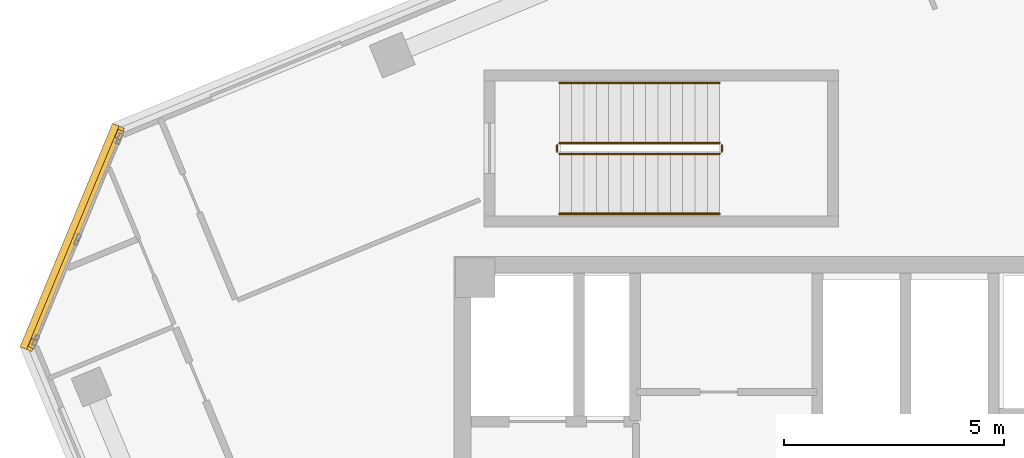
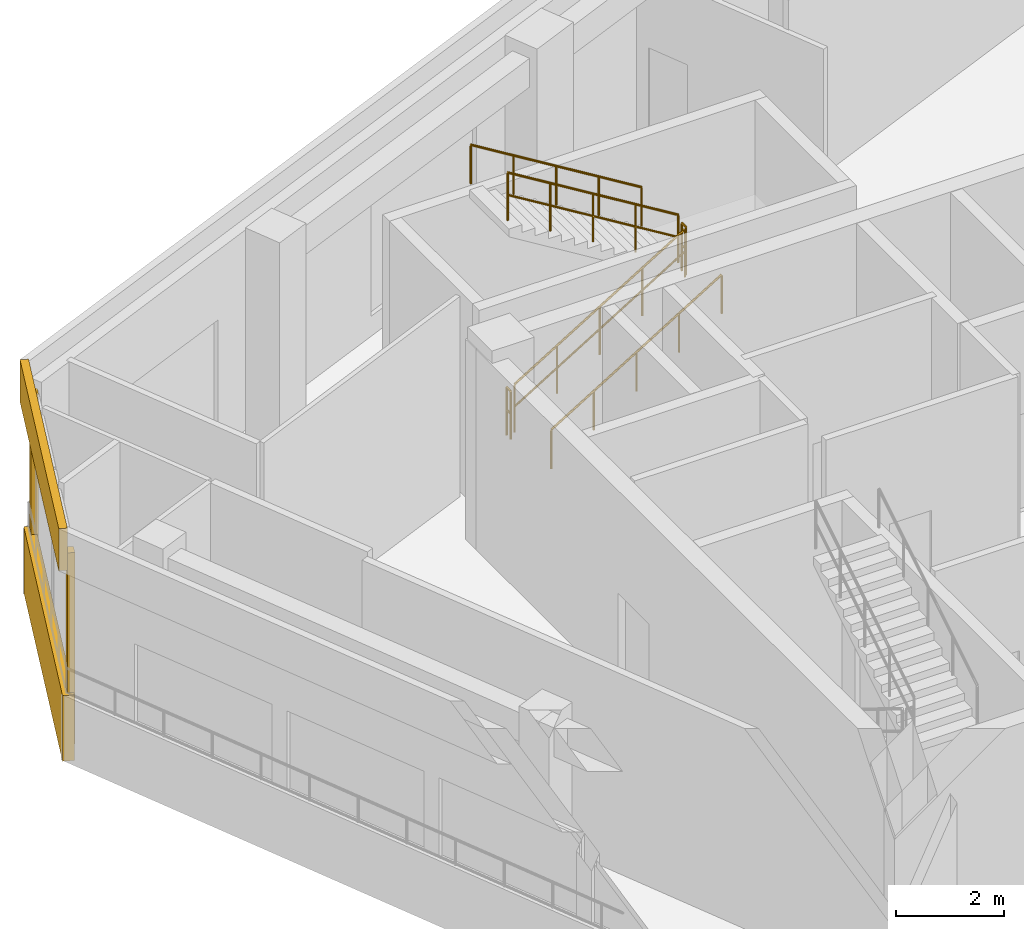
# One storey, part 14 of 17: 6 railings, 4 coverings.
"""IFC4 building model written with IfcOpenShell, lengths in metres."""

from ifc_helpers import new_model, si_unit, direction, frame, origin, origin_2d, place, context, subcontext, project, spatial, rectangle, circle, extrude, source, transform, mapped, material, layer, layer_set, type_object, element, save


model = new_model("IFC4")

# Units and contexts
model_context = context("Model", 3, precision=1e-05, world=origin(), true_north=direction((0.0, 1.0)))
body_context = subcontext(model_context, "Body", "Model", "MODEL_VIEW")
ifc_project = project(units=[si_unit("LENGTHUNIT", "METRE"), si_unit("AREAUNIT", "SQUARE_METRE"), si_unit("VOLUMEUNIT", "CUBIC_METRE"), si_unit("PLANEANGLEUNIT", "RADIAN"), si_unit("MASSUNIT", "GRAM", prefix="KILO")], contexts=[model_context])

# Site, building, storey
site_placement = place(None, origin())
site = spatial("IfcSite", under=ifc_project, at=site_placement, CompositionType="ELEMENT")
building_placement = place(site_placement, origin())
building = spatial("IfcBuilding", under=site, at=building_placement, Name="Torre Montelarca", CompositionType="ELEMENT")
storey_placement = place(building_placement, frame((0.0, 0.0, 355.199951171875)))
storey = spatial("IfcBuildingStorey", under=building, at=storey_placement, Name="L80", CompositionType="ELEMENT", Elevation=355.199951171875)

# Railings
ifc_material_1 = material(Name="Powder-coated steel ASTM A500 Grade C", Category="steel")
railing_type_1 = type_object("IfcRailingType", Name="RL-GUARD-1100", PredefinedType="BALUSTRADE", material=ifc_material_1)
railing_1_placement = place(storey_placement, frame((11.4599609375, 42.260009765625, 0.17138671875)))
element("IfcRailing", 1, at=railing_1_placement, inside=storey, type_object=railing_type_1, Name="L80 ST5 stair guard 1", PredefinedType="BALUSTRADE", context=body_context, shape_type="SweptSolid", body=[
    extrude(circle(Radius=0.02392578125, at=origin_2d()), frame((0.0, 0.0, 1.076171875), z_axis=(0.852840387347, 0.0, 0.522171689878), x_axis=(0.0, 1.0, 0.0)), (0.0, 0.0, 1.0), 4.268310546875),
    extrude(circle(Radius=0.02099609375, at=origin_2d()), frame((0.0, 0.0, 0.572021484375), z_axis=(0.852840387347, 0.0, 0.522171689878), x_axis=(0.0, 1.0, 0.0)), (0.0, 0.0, 1.0), 4.268310546875),
    extrude(circle(Radius=0.02099609375, at=origin_2d()), origin(), (0.0, 0.0, 1.0), 1.052001953125),
    extrude(circle(Radius=0.02099609375, at=origin_2d()), frame((0.91015625, 0.0, 0.55712890625)), (0.0, 0.0, 1.0), 1.052001953125),
    extrude(circle(Radius=0.02099609375, at=origin_2d()), frame((1.820068359375, 0.0, 1.1142578125)), (0.0, 0.0, 1.0), 1.052001953125),
    extrude(circle(Radius=0.02099609375, at=origin_2d()), frame((2.72998046875, 0.0, 1.671630859375)), (0.0, 0.0, 1.0), 1.052001953125),
    extrude(circle(Radius=0.02099609375, at=origin_2d()), frame((3.64013671875, 0.0, 2.228759765625)), (0.0, 0.0, 1.0), 1.052001953125),
])
railing_2_placement = place(storey_placement, frame((15.14990234375, 42.31005859375, 2.400146484375)))
element("IfcRailing", 2, at=railing_2_placement, inside=storey, type_object=railing_type_1, Name="L80 ST5 stair guard 2", PredefinedType="BALUSTRADE", context=body_context, shape_type="SweptSolid", body=[
    extrude(circle(Radius=0.02392578125, at=origin_2d()), frame((0.0, 0.0, 1.076171875), z_axis=(0.0, 1.0, 0.0), x_axis=(-1.0, 0.0, 0.0)), (0.0, 0.0, 1.0), 0.14990234375),
    extrude(circle(Radius=0.02099609375, at=origin_2d()), frame((0.0, 0.0, 0.572021484375), z_axis=(0.0, 1.0, 0.0), x_axis=(-1.0, 0.0, 0.0)), (0.0, 0.0, 1.0), 0.14990234375),
    extrude(circle(Radius=0.02099609375, at=origin_2d()), origin(), (0.0, 0.0, 1.0), 1.052001953125),
    extrude(circle(Radius=0.02099609375, at=origin_2d()), frame((0.0, 0.14990234375, 0.0)), (0.0, 0.0, 1.0), 1.052001953125),
])
railing_3_placement = place(storey_placement, frame((15.10009765625, 42.510009765625, 2.571533203125)))
element("IfcRailing", 3, at=railing_3_placement, inside=storey, type_object=railing_type_1, Name="L80 ST5 stair guard 3", PredefinedType="BALUSTRADE", context=body_context, shape_type="SweptSolid", body=[
    extrude(circle(Radius=0.02392578125, at=origin_2d()), frame((0.0, 0.0, 1.076171875), z_axis=(-0.852865859571, 0.0, 0.52213008492), x_axis=(0.0, -1.0, 0.0)), (0.0, 0.0, 1.0), 4.26806640625),
    extrude(circle(Radius=0.02099609375, at=origin_2d()), frame((0.0, 0.0, 0.572021484375), z_axis=(-0.852865859571, 0.0, 0.52213008492), x_axis=(0.0, -1.0, 0.0)), (0.0, 0.0, 1.0), 4.26806640625),
    extrude(circle(Radius=0.02099609375, at=origin_2d()), origin(), (0.0, 0.0, 1.0), 1.052001953125),
    extrude(circle(Radius=0.02099609375, at=origin_2d()), frame((-0.91015625, 0.0, 0.55712890625)), (0.0, 0.0, 1.0), 1.052001953125),
    extrude(circle(Radius=0.02099609375, at=origin_2d()), frame((-1.820068359375, 0.0, 1.1142578125)), (0.0, 0.0, 1.0), 1.052001953125),
    extrude(circle(Radius=0.02099609375, at=origin_2d()), frame((-2.72998046875, 0.0, 1.67138671875)), (0.0, 0.0, 1.0), 1.052001953125),
    extrude(circle(Radius=0.02099609375, at=origin_2d()), frame((-3.64013671875, 0.0, 2.228515625)), (0.0, 0.0, 1.0), 1.052001953125),
])
railing_4_placement = place(storey_placement, frame((11.409912109375, 42.31005859375, 0.0)))
element("IfcRailing", 4, at=railing_4_placement, inside=storey, type_object=railing_type_1, Name="L80 ST5 stair guard 4", PredefinedType="BALUSTRADE", context=body_context, shape_type="SweptSolid", body=[
    extrude(circle(Radius=0.02392578125, at=origin_2d()), frame((0.0, 0.0, 1.076171875), z_axis=(0.0, 1.0, 0.0), x_axis=(-1.0, 0.0, 0.0)), (0.0, 0.0, 1.0), 0.14990234375),
    extrude(circle(Radius=0.02099609375, at=origin_2d()), frame((0.0, 0.0, 0.572021484375), z_axis=(0.0, 1.0, 0.0), x_axis=(-1.0, 0.0, 0.0)), (0.0, 0.0, 1.0), 0.14990234375),
    extrude(circle(Radius=0.02099609375, at=origin_2d()), origin(), (0.0, 0.0, 1.0), 1.052001953125),
    extrude(circle(Radius=0.02099609375, at=origin_2d()), frame((0.0, 0.14990234375, 0.0)), (0.0, 0.0, 1.0), 1.052001953125),
])
ifc_material_2 = material(Name="Brushed stainless steel AISI 316", Category="steel")
railing_type_2 = type_object("IfcRailingType", Name="RL-HANDRAIL-900", PredefinedType="HANDRAIL", material=ifc_material_2)
railing_5_placement = place(storey_placement, frame((11.4599609375, 40.89990234375, 0.17138671875)))
element("IfcRailing", 5, at=railing_5_placement, inside=storey, type_object=railing_type_2, Name="L80 ST5 stair handrail 1", PredefinedType="HANDRAIL", context=body_context, shape_type="SweptSolid", body=[
    extrude(circle(Radius=0.02392578125, at=origin_2d()), frame((0.0, 0.0, 0.8759765625), z_axis=(0.852840387347, 0.0, 0.522171689878), x_axis=(0.0, 1.0, 0.0)), (0.0, 0.0, 1.0), 4.268310546875),
    extrude(circle(Radius=0.02099609375, at=origin_2d()), origin(), (0.0, 0.0, 1.0), 0.851806640625),
    extrude(circle(Radius=0.02099609375, at=origin_2d()), frame((0.91015625, 0.0, 0.55712890625)), (0.0, 0.0, 1.0), 0.851806640625),
    extrude(circle(Radius=0.02099609375, at=origin_2d()), frame((1.820068359375, 0.0, 1.1142578125)), (0.0, 0.0, 1.0), 0.851806640625),
    extrude(circle(Radius=0.02099609375, at=origin_2d()), frame((2.72998046875, 0.0, 1.671630859375)), (0.0, 0.0, 1.0), 0.851806640625),
    extrude(circle(Radius=0.02099609375, at=origin_2d()), frame((3.64013671875, 0.0, 2.228759765625)), (0.0, 0.0, 1.0), 0.851806640625),
])
railing_6_placement = place(storey_placement, frame((15.10009765625, 43.8701171875, 2.571533203125)))
element("IfcRailing", 6, at=railing_6_placement, inside=storey, type_object=railing_type_2, Name="L80 ST5 stair handrail 2", PredefinedType="HANDRAIL", context=body_context, shape_type="SweptSolid", body=[
    extrude(circle(Radius=0.02392578125, at=origin_2d()), frame((0.0, 0.0, 0.8759765625), z_axis=(-0.852865859571, 0.0, 0.52213008492), x_axis=(0.0, -1.0, 0.0)), (0.0, 0.0, 1.0), 4.26806640625),
    extrude(circle(Radius=0.02099609375, at=origin_2d()), origin(), (0.0, 0.0, 1.0), 0.851806640625),
    extrude(circle(Radius=0.02099609375, at=origin_2d()), frame((-0.91015625, 0.0, 0.55712890625)), (0.0, 0.0, 1.0), 0.851806640625),
    extrude(circle(Radius=0.02099609375, at=origin_2d()), frame((-1.820068359375, 0.0, 1.1142578125)), (0.0, 0.0, 1.0), 0.851806640625),
    extrude(circle(Radius=0.02099609375, at=origin_2d()), frame((-2.72998046875, 0.0, 1.67138671875)), (0.0, 0.0, 1.0), 0.851806640625),
    extrude(circle(Radius=0.02099609375, at=origin_2d()), frame((-3.64013671875, 0.0, 2.228515625)), (0.0, 0.0, 1.0), 0.851806640625),
])

# Coverings
ifc_material_3 = material(Name="Bush-hammered warm white precast concrete C45/55", Category="concrete")
ifc_layer = layer(ifc_material_3, 0.139892578125, Name="Bush-hammered warm white precast concrete C45/55", Category="concrete")
ifc_layer_set = layer_set([ifc_layer], Name="Bush-hammered warm white precast concrete C45/55")
covering_type = type_object("IfcCoveringType", Name="COV-TRAY-CLAD", PredefinedType="CLADDING", material=ifc_layer_set)
shared_shape_1 = source(origin(), body_context, "Body", "SweptSolid", [
    extrude(rectangle(XDim=0.199951171875, YDim=0.139892578125, at=origin_2d()), origin(), (0.0, 0.0, 1.0), 4.320068359375),
])
for number, where, z_axis, x_axis, name in (
    (7, (1.46142578125, 42.700439453125, 0.0), (0.0, 0.0, 1.0), (-0.382680207415, -0.923880868323, 0.0), "L80 Architectural Column Pier Cladding E11-1"),
    (8, (-0.50634765625, 37.94970703125, 0.0), (0.0, 0.0, 1.0), (-0.382680207415, -0.923880868323, 0.0), "L80 Architectural Column Pier Cladding E11-2"),
):
    element("IfcCovering", number, at=place(storey_placement, frame(where, z_axis=z_axis, x_axis=x_axis)), inside=storey, type_object=covering_type, Name=name, PredefinedType="CLADDING", context=body_context, shape_type="MappedRepresentation", body=[
        mapped(shared_shape_1, transform((0.0, 0.0, 0.0), scale=1.0)),
    ])
shared_shape_2 = source(origin(), body_context, "Body", "SweptSolid", [
    extrude(rectangle(XDim=5.493896484375, YDim=0.219970703125, at=origin_2d()), origin(), (0.0, 0.0, 1.0), 1.47998046875),
])
covering_1_placement = place(storey_placement, frame((0.422119140625, 40.34814453125, -0.31982421875), z_axis=(0.0, 0.0, 1.0), x_axis=(-0.382678594938, -0.923881536224, 0.0)))
element("IfcCovering", 9, at=covering_1_placement, inside=storey, type_object=covering_type, Name="L80 Architectural White Spandrel Tray Band DMPRNG-11", PredefinedType="CLADDING", context=body_context, shape_type="MappedRepresentation", body=[
    mapped(shared_shape_2, transform((0.0, 0.0, 0.0), scale=1.0)),
])
shared_shape_3 = source(origin(), body_context, "Body", "SweptSolid", [
    extrude(rectangle(XDim=5.493896484375, YDim=0.159912109375, at=origin_2d()), origin(), (0.0, 0.0, 1.0), 0.949951171875),
])
covering_2_placement = place(storey_placement, frame((0.32958984375, 40.38623046875, 3.98486328125), z_axis=(0.0, 0.0, 1.0), x_axis=(-0.382678594938, -0.923881536224, 0.0)))
element("IfcCovering", 10, at=covering_2_placement, inside=storey, type_object=covering_type, Name="L80 Architectural White Spandrel Tray Band DMPTOP-11", PredefinedType="CLADDING", context=body_context, shape_type="MappedRepresentation", body=[
    mapped(shared_shape_3, transform((0.0, 0.0, 0.0), scale=1.0)),
])

save(model, "model.ifc")
